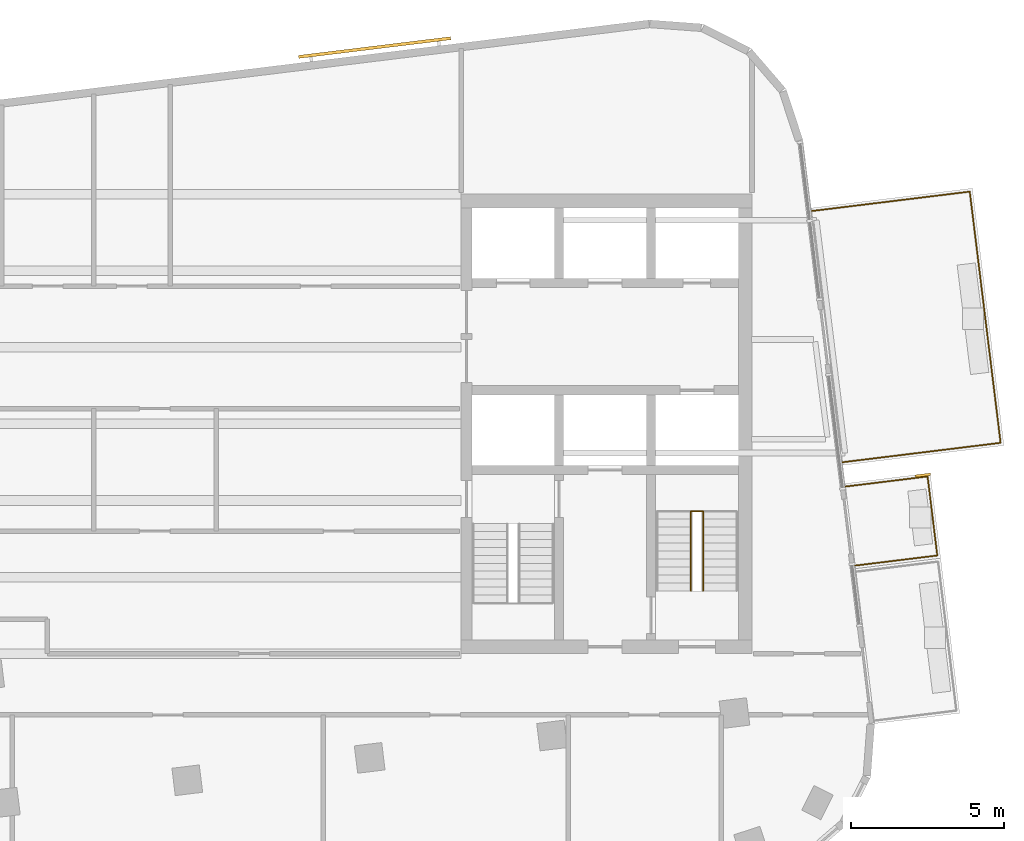
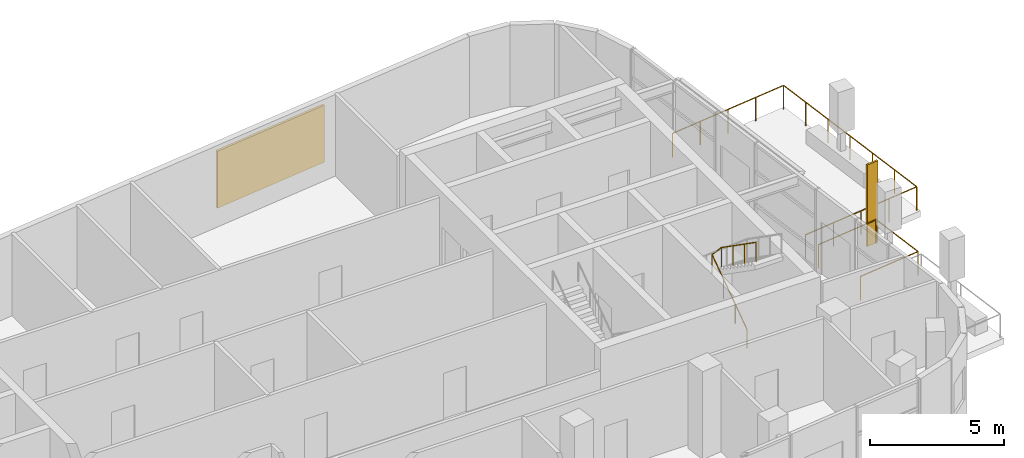
# One storey, part 13 of 14: 3 railings, 2 shading devices.
"""IFC4 building model written with IfcOpenShell, lengths in metres."""

from ifc_helpers import new_model, si_unit, direction, frame, origin, origin_2d, place, context, subcontext, project, spatial, rectangle, circle, extrude, material, layer, layer_set, type_object, element, save


model = new_model("IFC4")

# Units and contexts
model_context = context("Model", 3, precision=1e-05, world=origin(), true_north=direction((0.0, 1.0)))
body_context = subcontext(model_context, "Body", "Model", "MODEL_VIEW")
ifc_project = project(units=[si_unit("LENGTHUNIT", "METRE"), si_unit("AREAUNIT", "SQUARE_METRE"), si_unit("VOLUMEUNIT", "CUBIC_METRE"), si_unit("PLANEANGLEUNIT", "RADIAN"), si_unit("MASSUNIT", "GRAM", prefix="KILO")], contexts=[model_context])

# Site, building, storey
site_placement = place(None, origin())
site = spatial("IfcSite", under=ifc_project, at=site_placement, CompositionType="ELEMENT")
building_placement = place(site_placement, origin())
building = spatial("IfcBuilding", under=site, at=building_placement, Name="Torana Hotel and Residences", CompositionType="ELEMENT")
storey_placement = place(building_placement, frame((0.0, 0.0, 318.60009765625)))
storey = spatial("IfcBuildingStorey", under=building, at=storey_placement, Name="L84", CompositionType="ELEMENT", Elevation=318.60009765625)

# Shading device
ifc_material_1 = material(Name="Black powder coated aluminium", Category="aluminium")
ifc_layer_1 = layer(ifc_material_1, 0.080078125)
ifc_layer_set_1 = layer_set([ifc_layer_1], Name="FN1 VERTICAL FIN 500x80")
shading_device_type_1 = type_object("IfcShadingDeviceType", Name="FN1 VERTICAL FIN 500x80", PredefinedType="USERDEFINED", material=ifc_layer_set_1)
shading_device_1_placement = place(storey_placement, frame((25.075439453125, -9.17431640625, 0.0), z_axis=(0.0, 0.0, 1.0), x_axis=(0.121867611085, -0.992546364342, 0.0)))
element("IfcShadingDevice", 1, at=shading_device_1_placement, inside=storey, type_object=shading_device_type_1, Name="Fin 11", ObjectType="FIN", PredefinedType="USERDEFINED", context=body_context, shape_type="SweptSolid", body=[
    extrude(rectangle(XDim=0.080078125, YDim=0.5, at=origin_2d()), origin(), (0.0, 0.0, 1.0), 3.719970703125),
])

# Railings
ifc_material_2 = material(Name="Laminated glass balustrade with black handrail", Category="glass")
railing_type_1 = type_object("IfcRailingType", Name="GR1 BALCONY GUARD 1100 GLASS", PredefinedType="GUARDRAIL", material=ifc_material_2)
railing_1_placement = place(storey_placement, frame((22.5517578125, -9.544921875, 0.0)))
element("IfcRailing", 2, at=railing_1_placement, inside=storey, type_object=railing_type_1, Name="Balcony guard 11", PredefinedType="GUARDRAIL", context=body_context, shape_type="SweptSolid", body=[
    extrude(circle(Radius=0.02392578125, at=origin_2d()), frame((0.0, 0.0, 1.076171875), z_axis=(0.992544031017, 0.121886613265, 0.0), x_axis=(-0.121886613265, 0.992544031017, 0.0)), (0.0, 0.0, 1.0), 2.699951171875),
    extrude(circle(Radius=0.02392578125, at=origin_2d()), frame((2.679931640625, 0.3291015625, 1.076171875), z_axis=(0.121803653798, -0.992554215104, 0.0), x_axis=(0.992554215104, 0.121803653798, 0.0)), (0.0, 0.0, 1.0), 2.599609375),
    extrude(circle(Radius=0.02392578125, at=origin_2d()), frame((2.99658203125, -2.251220703125, 1.076171875), z_axis=(-0.992554965996, -0.121797534772, 0.0), x_axis=(0.121797534772, -0.992554965996, 0.0)), (0.0, 0.0, 1.0), 2.699951171875),
    extrude(circle(Radius=0.02099609375, at=origin_2d()), origin(), (0.0, 0.0, 1.0), 1.052001953125),
    extrude(circle(Radius=0.02099609375, at=origin_2d()), frame((2.679931640625, 0.3291015625, 0.0)), (0.0, 0.0, 1.0), 1.052001953125),
    extrude(circle(Radius=0.02099609375, at=origin_2d()), frame((2.99658203125, -2.251220703125, 0.0)), (0.0, 0.0, 1.0), 1.052001953125),
    extrude(circle(Radius=0.02099609375, at=origin_2d()), frame((0.316650390625, -2.580078125, 0.0)), (0.0, 0.0, 1.0), 1.052001953125),
])
railing_2_placement = place(storey_placement, frame((21.447265625, -0.54931640625, 0.0)))
element("IfcRailing", 3, at=railing_2_placement, inside=storey, type_object=railing_type_1, Name="Balcony guard 12", PredefinedType="GUARDRAIL", context=body_context, shape_type="SweptSolid", body=[
    extrude(circle(Radius=0.02392578125, at=origin_2d()), frame((0.0, 0.0, 1.076171875), z_axis=(0.992544252483, 0.121884809813, 0.0), x_axis=(-0.121884809813, 0.992544252483, 0.0)), (0.0, 0.0, 1.0), 5.199951171875),
    extrude(circle(Radius=0.02392578125, at=origin_2d()), frame((5.1611328125, 0.6337890625, 1.076171875), z_axis=(0.121878024543, -0.992545085693, 0.0), x_axis=(0.992545085693, 0.121878024543, 0.0)), (0.0, 0.0, 1.0), 8.262939453125),
    extrude(circle(Radius=0.02392578125, at=origin_2d()), frame((6.168212890625, -7.567626953125, 1.076171875), z_axis=(-0.992544949934, -0.121879130128, 0.0), x_axis=(0.121879130128, -0.992544949934, 0.0)), (0.0, 0.0, 1.0), 5.2001953125),
    extrude(circle(Radius=0.02099609375, at=origin_2d()), origin(), (0.0, 0.0, 1.0), 1.052001953125),
    extrude(circle(Radius=0.02099609375, at=origin_2d()), frame((1.290283203125, 0.158447265625, 0.0)), (0.0, 0.0, 1.0), 1.052001953125),
    extrude(circle(Radius=0.02099609375, at=origin_2d()), frame((2.58056640625, 0.31689453125, 0.0)), (0.0, 0.0, 1.0), 1.052001953125),
    extrude(circle(Radius=0.02099609375, at=origin_2d()), frame((3.870849609375, 0.475341796875, 0.0)), (0.0, 0.0, 1.0), 1.052001953125),
    extrude(circle(Radius=0.02099609375, at=origin_2d()), frame((5.1611328125, 0.6337890625, 0.0)), (0.0, 0.0, 1.0), 1.052001953125),
    extrude(circle(Radius=0.02099609375, at=origin_2d()), frame((5.3291015625, -0.733154296875, 0.0)), (0.0, 0.0, 1.0), 1.052001953125),
    extrude(circle(Radius=0.02099609375, at=origin_2d()), frame((5.496826171875, -2.10009765625, 0.0)), (0.0, 0.0, 1.0), 1.052001953125),
    extrude(circle(Radius=0.02099609375, at=origin_2d()), frame((5.66455078125, -3.466796875, 0.0)), (0.0, 0.0, 1.0), 1.052001953125),
    extrude(circle(Radius=0.02099609375, at=origin_2d()), frame((5.83251953125, -4.833740234375, 0.0)), (0.0, 0.0, 1.0), 1.052001953125),
    extrude(circle(Radius=0.02099609375, at=origin_2d()), frame((6.00048828125, -6.20068359375, 0.0)), (0.0, 0.0, 1.0), 1.052001953125),
    extrude(circle(Radius=0.02099609375, at=origin_2d()), frame((6.168212890625, -7.567626953125, 0.0)), (0.0, 0.0, 1.0), 1.052001953125),
    extrude(circle(Radius=0.02099609375, at=origin_2d()), frame((4.8779296875, -7.72607421875, 0.0)), (0.0, 0.0, 1.0), 1.052001953125),
    extrude(circle(Radius=0.02099609375, at=origin_2d()), frame((3.58740234375, -7.884521484375, 0.0)), (0.0, 0.0, 1.0), 1.052001953125),
    extrude(circle(Radius=0.02099609375, at=origin_2d()), frame((2.297119140625, -8.04296875, 0.0)), (0.0, 0.0, 1.0), 1.052001953125),
    extrude(circle(Radius=0.02099609375, at=origin_2d()), frame((1.0068359375, -8.201416015625, 0.0)), (0.0, 0.0, 1.0), 1.052001953125),
])

# Shading device
ifc_material_3 = material(Name="Concrete C40/50 precast", Category="concrete")
ifc_layer_2 = layer(ifc_material_3, 0.10009765625)
ifc_layer_set_2 = layer_set([ifc_layer_2], Name="SC1 PERFORATED BLOCK SCREEN PANEL 100")
shading_device_type_2 = type_object("IfcShadingDeviceType", Name="SC1 PERFORATED BLOCK SCREEN PANEL 100", PredefinedType="USERDEFINED", material=ifc_layer_set_2)
shading_device_2_placement = place(storey_placement, frame((7.177978515625, 4.788818359375, 0.499755859375), z_axis=(0.0, 0.0, 1.0), x_axis=(-0.99254657704, -0.121865878765, 0.0)))
element("IfcShadingDevice", 4, at=shading_device_2_placement, inside=storey, type_object=shading_device_type_2, Name="Perforated block screen L84", ObjectType="SCREEN", PredefinedType="USERDEFINED", context=body_context, shape_type="SweptSolid", body=[
    extrude(rectangle(XDim=5.0, YDim=0.10009765625, at=origin_2d()), origin(), (0.0, 0.0, 1.0), 2.60009765625),
])

# Railing
ifc_material_4 = material(Name="Stainless steel 316", Category="steel")
railing_type_2 = type_object("IfcRailingType", Name="STAIR HANDRAIL HR1 900", PredefinedType="HANDRAIL", material=ifc_material_4)
railing_3_placement = place(storey_placement, frame((17.5, -12.949951171875, 0.181640625)))
element("IfcRailing", 5, at=railing_3_placement, inside=storey, type_object=railing_type_2, Name="Handrail ST4 L84 I1", PredefinedType="HANDRAIL", context=body_context, shape_type="SweptSolid", body=[
    extrude(circle(Radius=0.02392578125, at=origin_2d()), frame((0.0, 0.0, 0.8759765625), z_axis=(0.0, 0.819459612548, 0.573136932506), x_axis=(-1.0, 0.0, 0.0)), (0.0, 0.0, 1.0), 3.172607421875),
    extrude(circle(Radius=0.02392578125, at=origin_2d()), frame((0.0, 2.599853515625, 2.6943359375), z_axis=(0.910480658332, 0.0, 0.413551654334), x_axis=(0.0, 1.0, 0.0)), (0.0, 0.0, 1.0), 0.439208984375),
    extrude(circle(Radius=0.02392578125, at=origin_2d()), frame((0.39990234375, 2.599853515625, 2.8759765625), z_axis=(0.0, -0.819459612548, 0.573136932506), x_axis=(1.0, 0.0, 0.0)), (0.0, 0.0, 1.0), 3.172607421875),
    extrude(circle(Radius=0.02099609375, at=origin_2d()), origin(), (0.0, 0.0, 1.0), 0.851806640625),
    extrude(circle(Radius=0.02099609375, at=origin_2d()), frame((0.0, 0.86669921875, 0.606201171875)), (0.0, 0.0, 1.0), 0.851806640625),
    extrude(circle(Radius=0.02099609375, at=origin_2d()), frame((0.0, 1.733154296875, 1.212158203125)), (0.0, 0.0, 1.0), 0.851806640625),
    extrude(circle(Radius=0.02099609375, at=origin_2d()), frame((0.0, 2.599853515625, 1.818359375)), (0.0, 0.0, 1.0), 0.851806640625),
    extrude(circle(Radius=0.02099609375, at=origin_2d()), frame((0.39990234375, 2.599853515625, 2.0)), (0.0, 0.0, 1.0), 0.851806640625),
    extrude(circle(Radius=0.02099609375, at=origin_2d()), frame((0.39990234375, 1.733154296875, 2.606201171875)), (0.0, 0.0, 1.0), 0.851806640625),
    extrude(circle(Radius=0.02099609375, at=origin_2d()), frame((0.39990234375, 0.86669921875, 3.212158203125)), (0.0, 0.0, 1.0), 0.851806640625),
    extrude(circle(Radius=0.02099609375, at=origin_2d()), frame((0.39990234375, 0.0, 3.818359375)), (0.0, 0.0, 1.0), 0.851806640625),
])

save(model, "model.ifc")
